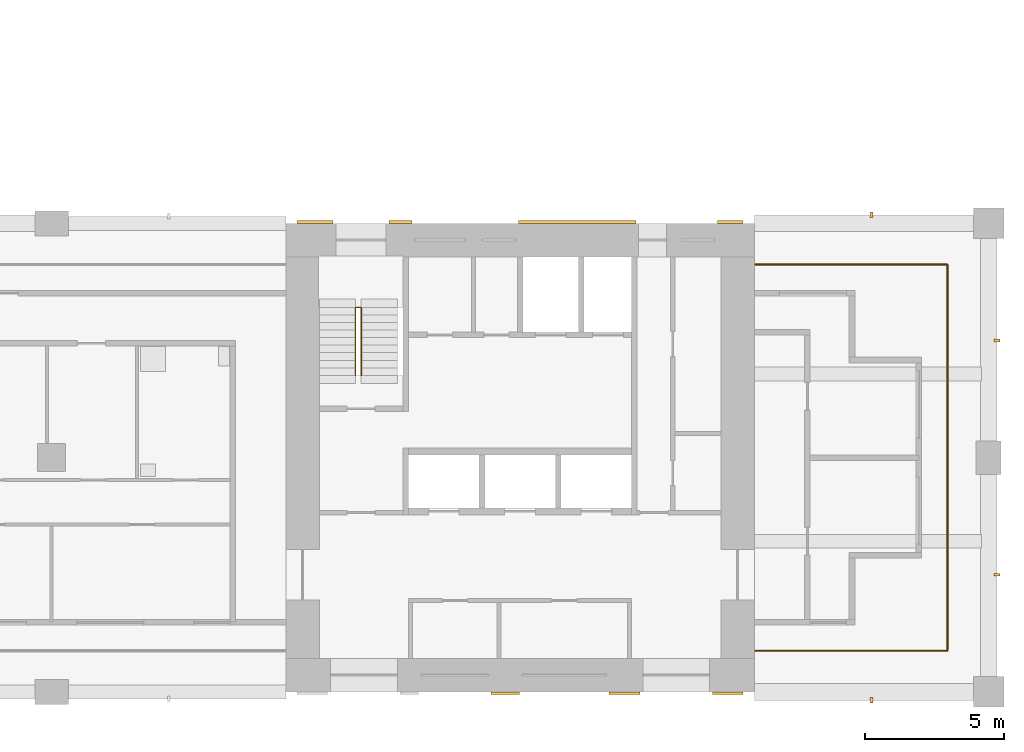
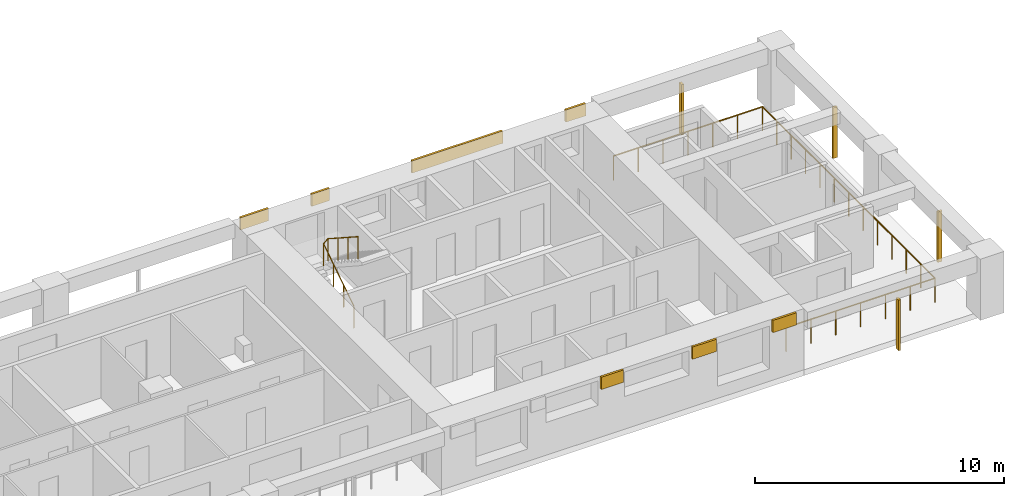
# One storey, part 9 of 11: 11 shading devices, 2 railings.
"""IFC4 building model written with IfcOpenShell, lengths in metres."""

from ifc_helpers import new_model, si_unit, direction, frame, origin, origin_2d, place, context, subcontext, project, spatial, rectangle, circle, extrude, material, layer, layer_set, material_profile, profile_set, type_object, element, save


model = new_model("IFC4")

# Units and contexts
model_context = context("Model", 3, precision=1e-05, world=origin(), true_north=direction((0.0, 1.0)))
body_context = subcontext(model_context, "Body", "Model", "MODEL_VIEW")
ifc_project = project(units=[si_unit("LENGTHUNIT", "METRE"), si_unit("AREAUNIT", "SQUARE_METRE"), si_unit("VOLUMEUNIT", "CUBIC_METRE"), si_unit("PLANEANGLEUNIT", "RADIAN"), si_unit("MASSUNIT", "GRAM", prefix="KILO")], contexts=[model_context])

# Site, building, storey
site_placement = place(None, origin())
site = spatial("IfcSite", under=ifc_project, at=site_placement, CompositionType="ELEMENT")
building_placement = place(site_placement, origin())
building = spatial("IfcBuilding", under=site, at=building_placement, Name="Vermilion Gate Residences", CompositionType="ELEMENT")
storey_placement = place(building_placement, frame((0.0, 0.0, 203.699951171875)))
storey = spatial("IfcBuildingStorey", under=building, at=storey_placement, Name="L53", CompositionType="ELEMENT", Elevation=203.699951171875)

# Railings
ifc_material_1 = material(Name="Stainless steel and toughened glass", Category="steel")
railing_type_1 = type_object("IfcRailingType", Name="LOGGIA GUARD STEEL AND GLASS 1200", PredefinedType="GUARDRAIL", material=ifc_material_1)
railing_1_placement = place(storey_placement, frame((58.822021484375, 9.875, 0.0)))
element("IfcRailing", 1, at=railing_1_placement, inside=storey, type_object=railing_type_1, Name="Loggia guard", PredefinedType="GUARDRAIL", context=body_context, shape_type="SweptSolid", body=[
    extrude(circle(Radius=0.030029296875, at=origin_2d()), frame((0.0, 0.0, 1.169921875), z_axis=(1.0, 0.0, 0.0), x_axis=(0.0, 1.0, 0.0)), (0.0, 0.0, 1.0), 6.903076171875),
    extrude(circle(Radius=0.030029296875, at=origin_2d()), frame((6.903076171875, 0.0, 1.169921875), z_axis=(0.0, 1.0, 0.0), x_axis=(-1.0, 0.0, 0.0)), (0.0, 0.0, 1.0), 13.85009765625),
    extrude(circle(Radius=0.030029296875, at=origin_2d()), frame((6.903076171875, 13.85009765625, 1.169921875), z_axis=(-1.0, 0.0, 0.0), x_axis=(0.0, -1.0, 0.0)), (0.0, 0.0, 1.0), 6.903076171875),
    extrude(circle(Radius=0.02490234375, at=origin_2d()), origin(), (0.0, 0.0, 1.0), 1.139892578125),
    extrude(circle(Radius=0.02490234375, at=origin_2d()), frame((1.150390625, 0.0, 0.0)), (0.0, 0.0, 1.0), 1.139892578125),
    extrude(circle(Radius=0.02490234375, at=origin_2d()), frame((2.301025390625, 0.0, 0.0)), (0.0, 0.0, 1.0), 1.139892578125),
    extrude(circle(Radius=0.02490234375, at=origin_2d()), frame((3.45166015625, 0.0, 0.0)), (0.0, 0.0, 1.0), 1.139892578125),
    extrude(circle(Radius=0.02490234375, at=origin_2d()), frame((4.60205078125, 0.0, 0.0)), (0.0, 0.0, 1.0), 1.139892578125),
    extrude(circle(Radius=0.02490234375, at=origin_2d()), frame((5.75244140625, 0.0, 0.0)), (0.0, 0.0, 1.0), 1.139892578125),
    extrude(circle(Radius=0.02490234375, at=origin_2d()), frame((6.903076171875, 0.0, 0.0)), (0.0, 0.0, 1.0), 1.139892578125),
    extrude(circle(Radius=0.02490234375, at=origin_2d()), frame((6.903076171875, 1.154296875, 0.0)), (0.0, 0.0, 1.0), 1.139892578125),
    extrude(circle(Radius=0.02490234375, at=origin_2d()), frame((6.903076171875, 2.308349609375, 0.0)), (0.0, 0.0, 1.0), 1.139892578125),
    extrude(circle(Radius=0.02490234375, at=origin_2d()), frame((6.903076171875, 3.46240234375, 0.0)), (0.0, 0.0, 1.0), 1.139892578125),
    extrude(circle(Radius=0.02490234375, at=origin_2d()), frame((6.903076171875, 4.61669921875, 0.0)), (0.0, 0.0, 1.0), 1.139892578125),
    extrude(circle(Radius=0.02490234375, at=origin_2d()), frame((6.903076171875, 5.77099609375, 0.0)), (0.0, 0.0, 1.0), 1.139892578125),
    extrude(circle(Radius=0.02490234375, at=origin_2d()), frame((6.903076171875, 6.925048828125, 0.0)), (0.0, 0.0, 1.0), 1.139892578125),
    extrude(circle(Radius=0.02490234375, at=origin_2d()), frame((6.903076171875, 8.0791015625, 0.0)), (0.0, 0.0, 1.0), 1.139892578125),
    extrude(circle(Radius=0.02490234375, at=origin_2d()), frame((6.903076171875, 9.2333984375, 0.0)), (0.0, 0.0, 1.0), 1.139892578125),
    extrude(circle(Radius=0.02490234375, at=origin_2d()), frame((6.903076171875, 10.3876953125, 0.0)), (0.0, 0.0, 1.0), 1.139892578125),
    extrude(circle(Radius=0.02490234375, at=origin_2d()), frame((6.903076171875, 11.541748046875, 0.0)), (0.0, 0.0, 1.0), 1.139892578125),
    extrude(circle(Radius=0.02490234375, at=origin_2d()), frame((6.903076171875, 12.69580078125, 0.0)), (0.0, 0.0, 1.0), 1.139892578125),
    extrude(circle(Radius=0.02490234375, at=origin_2d()), frame((6.903076171875, 13.85009765625, 0.0)), (0.0, 0.0, 1.0), 1.139892578125),
    extrude(circle(Radius=0.02490234375, at=origin_2d()), frame((5.75244140625, 13.85009765625, 0.0)), (0.0, 0.0, 1.0), 1.139892578125),
    extrude(circle(Radius=0.02490234375, at=origin_2d()), frame((4.60205078125, 13.85009765625, 0.0)), (0.0, 0.0, 1.0), 1.139892578125),
    extrude(circle(Radius=0.02490234375, at=origin_2d()), frame((3.45166015625, 13.85009765625, 0.0)), (0.0, 0.0, 1.0), 1.139892578125),
    extrude(circle(Radius=0.02490234375, at=origin_2d()), frame((2.301025390625, 13.85009765625, 0.0)), (0.0, 0.0, 1.0), 1.139892578125),
    extrude(circle(Radius=0.02490234375, at=origin_2d()), frame((1.150390625, 13.85009765625, 0.0)), (0.0, 0.0, 1.0), 1.139892578125),
    extrude(circle(Radius=0.02490234375, at=origin_2d()), frame((0.0, 13.85009765625, 0.0)), (0.0, 0.0, 1.0), 1.139892578125),
])
ifc_material_2 = material(Name="Steel S355", Category="steel")
railing_type_2 = type_object("IfcRailingType", Name="STAIR GUARD 1100 STEEL", PredefinedType="GUARDRAIL", material=ifc_material_2)
railing_2_placement = place(storey_placement, frame((44.5, 19.75, 0.175048828125)))
element("IfcRailing", 2, at=railing_2_placement, inside=storey, type_object=railing_type_2, Name="Stair well guard STA1-53", PredefinedType="GUARDRAIL", context=body_context, shape_type="SweptSolid", body=[
    extrude(circle(Radius=0.02392578125, at=origin_2d()), frame((0.0, 0.0, 1.076171875), z_axis=(0.0, 0.839153699163, 0.543894354798), x_axis=(-1.0, 0.0, 0.0)), (0.0, 0.0, 1.0), 2.895751953125),
    extrude(circle(Radius=0.02392578125, at=origin_2d()), frame((0.0, 2.429931640625, 2.65087890625), z_axis=(0.752405939678, 0.0, 0.658699705433), x_axis=(0.0, 1.0, 0.0)), (0.0, 0.0, 1.0), 0.265869140625),
    extrude(circle(Radius=0.02392578125, at=origin_2d()), frame((0.199951171875, 2.429931640625, 2.826171875), z_axis=(0.0, -0.839153699163, 0.543894354798), x_axis=(1.0, 0.0, 0.0)), (0.0, 0.0, 1.0), 2.895751953125),
    extrude(circle(Radius=0.02099609375, at=origin_2d()), origin(), (0.0, 0.0, 1.0), 1.052001953125),
    extrude(circle(Radius=0.02099609375, at=origin_2d()), frame((0.0, 0.81005859375, 0.52490234375)), (0.0, 0.0, 1.0), 1.052001953125),
    extrude(circle(Radius=0.02099609375, at=origin_2d()), frame((0.0, 1.619873046875, 1.050048828125)), (0.0, 0.0, 1.0), 1.052001953125),
    extrude(circle(Radius=0.02099609375, at=origin_2d()), frame((0.0, 2.429931640625, 1.574951171875)), (0.0, 0.0, 1.0), 1.052001953125),
    extrude(circle(Radius=0.02099609375, at=origin_2d()), frame((0.199951171875, 2.429931640625, 1.75)), (0.0, 0.0, 1.0), 1.052001953125),
    extrude(circle(Radius=0.02099609375, at=origin_2d()), frame((0.199951171875, 1.619873046875, 2.27490234375)), (0.0, 0.0, 1.0), 1.052001953125),
    extrude(circle(Radius=0.02099609375, at=origin_2d()), frame((0.199951171875, 0.81005859375, 2.800048828125)), (0.0, 0.0, 1.0), 1.052001953125),
    extrude(circle(Radius=0.02099609375, at=origin_2d()), frame((0.199951171875, 0.0, 3.324951171875)), (0.0, 0.0, 1.0), 1.052001953125),
])

# Shading devices
ifc_material_3 = material(Name="Extruded terracotta", Category="masonry")
ifc_material_profile = material_profile(ifc_material_3, rectangle(XDim=0.199951171875, YDim=0.10009765625, at=origin_2d()), Name="BAGUETTE 100 X 200")
ifc_profile_set = profile_set([ifc_material_profile], Name="Extruded terracotta")
shading_device_type_1 = type_object("IfcShadingDeviceType", Name="TERRACOTTA BAGUETTE 100 X 200", PredefinedType="JALOUSIE", material=ifc_profile_set)
for number, where, z_axis, x_axis, name in (
    (3, (63.0, 8.10009765625, -0.280029296875), (0.0, 0.0, 1.0), (0.0, 1.0, 0.0), "BAGUETTE"),
    (4, (67.5, 12.60009765625, -0.280029296875), (0.0, 0.0, 1.0), (-1.0, 0.0, 0.0), "BAGUETTE"),
    (5, (67.5, 21.0, -0.280029296875), (0.0, 0.0, 1.0), (-1.0, 0.0, 0.0), "BAGUETTE"),
    (6, (63.0, 25.5, -0.280029296875), (0.0, 0.0, 1.0), (0.0, -1.0, 0.0), "BAGUETTE"),
):
    element("IfcShadingDevice", number, at=place(storey_placement, frame(where, z_axis=z_axis, x_axis=x_axis)), inside=storey, type_object=shading_device_type_1, Name=name, PredefinedType="JALOUSIE", context=body_context, shape_type="SweptSolid", body=[
        extrude(rectangle(XDim=0.199951171875, YDim=0.10009765625, at=origin_2d()), origin(), (0.0, 0.0, 1.0), 2.47998046875),
    ])
ifc_material_4 = material(Name="Extruded terracotta", Category="masonry")
ifc_layer = layer(ifc_material_4, 0.10009765625)
ifc_layer_set = layer_set([ifc_layer], Name="TERRACOTTA SPANDREL BAND 600 X 100")
shading_device_type_2 = type_object("IfcShadingDeviceType", Name="TERRACOTTA SPANDREL BAND 600 X 100", PredefinedType="USERDEFINED", material=ifc_layer_set)
shading_device_1_placement = place(storey_placement, frame((49.87255859375, 8.35009765625, 2.39990234375), z_axis=(0.0, 0.0, 1.0), x_axis=(1.0, 0.0, 0.0)))
element("IfcShadingDevice", 7, at=shading_device_1_placement, inside=storey, type_object=shading_device_type_2, Name="SPANDREL BAND", ObjectType="BAND", PredefinedType="USERDEFINED", context=body_context, shape_type="SweptSolid", body=[
    extrude(rectangle(XDim=1.02490234375, YDim=0.10009765625, at=origin_2d()), origin(), (0.0, 0.0, 1.0), 0.60009765625),
])
shading_device_2_placement = place(storey_placement, frame((54.142578125, 8.35009765625, 2.39990234375), z_axis=(0.0, 0.0, 1.0), x_axis=(1.0, 0.0, 0.0)))
element("IfcShadingDevice", 8, at=shading_device_2_placement, inside=storey, type_object=shading_device_type_2, Name="SPANDREL BAND", ObjectType="BAND", PredefinedType="USERDEFINED", context=body_context, shape_type="SweptSolid", body=[
    extrude(rectangle(XDim=1.114990234375, YDim=0.10009765625, at=origin_2d()), origin(), (0.0, 0.0, 1.0), 0.60009765625),
])
shading_device_3_placement = place(storey_placement, frame((57.85009765625, 8.35009765625, 2.39990234375), z_axis=(0.0, 0.0, 1.0), x_axis=(1.0, 0.0, 0.0)))
element("IfcShadingDevice", 9, at=shading_device_3_placement, inside=storey, type_object=shading_device_type_2, Name="SPANDREL BAND", ObjectType="BAND", PredefinedType="USERDEFINED", context=body_context, shape_type="SweptSolid", body=[
    extrude(rectangle(XDim=1.10009765625, YDim=0.10009765625, at=origin_2d()), origin(), (0.0, 0.0, 1.0), 0.60009765625),
])
shading_device_4_placement = place(storey_placement, frame((43.050048828125, 25.25, 2.39990234375), z_axis=(0.0, 0.0, 1.0), x_axis=(1.0, 0.0, 0.0)))
element("IfcShadingDevice", 10, at=shading_device_4_placement, inside=storey, type_object=shading_device_type_2, Name="SPANDREL BAND", ObjectType="BAND", PredefinedType="USERDEFINED", context=body_context, shape_type="SweptSolid", body=[
    extrude(rectangle(XDim=1.300048828125, YDim=0.10009765625, at=origin_2d()), origin(), (0.0, 0.0, 1.0), 0.60009765625),
])
shading_device_5_placement = place(storey_placement, frame((46.112548828125, 25.25, 2.39990234375), z_axis=(0.0, 0.0, 1.0), x_axis=(1.0, 0.0, 0.0)))
element("IfcShadingDevice", 11, at=shading_device_5_placement, inside=storey, type_object=shading_device_type_2, Name="SPANDREL BAND", ObjectType="BAND", PredefinedType="USERDEFINED", context=body_context, shape_type="SweptSolid", body=[
    extrude(rectangle(XDim=0.824951171875, YDim=0.10009765625, at=origin_2d()), origin(), (0.0, 0.0, 1.0), 0.60009765625),
])
shading_device_6_placement = place(storey_placement, frame((52.449951171875, 25.25, 2.39990234375), z_axis=(0.0, 0.0, 1.0), x_axis=(1.0, 0.0, 0.0)))
element("IfcShadingDevice", 12, at=shading_device_6_placement, inside=storey, type_object=shading_device_type_2, Name="SPANDREL BAND", ObjectType="BAND", PredefinedType="USERDEFINED", context=body_context, shape_type="SweptSolid", body=[
    extrude(rectangle(XDim=4.199951171875, YDim=0.10009765625, at=origin_2d()), origin(), (0.0, 0.0, 1.0), 0.60009765625),
])
shading_device_7_placement = place(storey_placement, frame((57.9375, 25.25, 2.39990234375), z_axis=(0.0, 0.0, 1.0), x_axis=(1.0, 0.0, 0.0)))
element("IfcShadingDevice", 13, at=shading_device_7_placement, inside=storey, type_object=shading_device_type_2, Name="SPANDREL BAND", ObjectType="BAND", PredefinedType="USERDEFINED", context=body_context, shape_type="SweptSolid", body=[
    extrude(rectangle(XDim=0.925048828125, YDim=0.10009765625, at=origin_2d()), origin(), (0.0, 0.0, 1.0), 0.60009765625),
])

save(model, "model.ifc")
